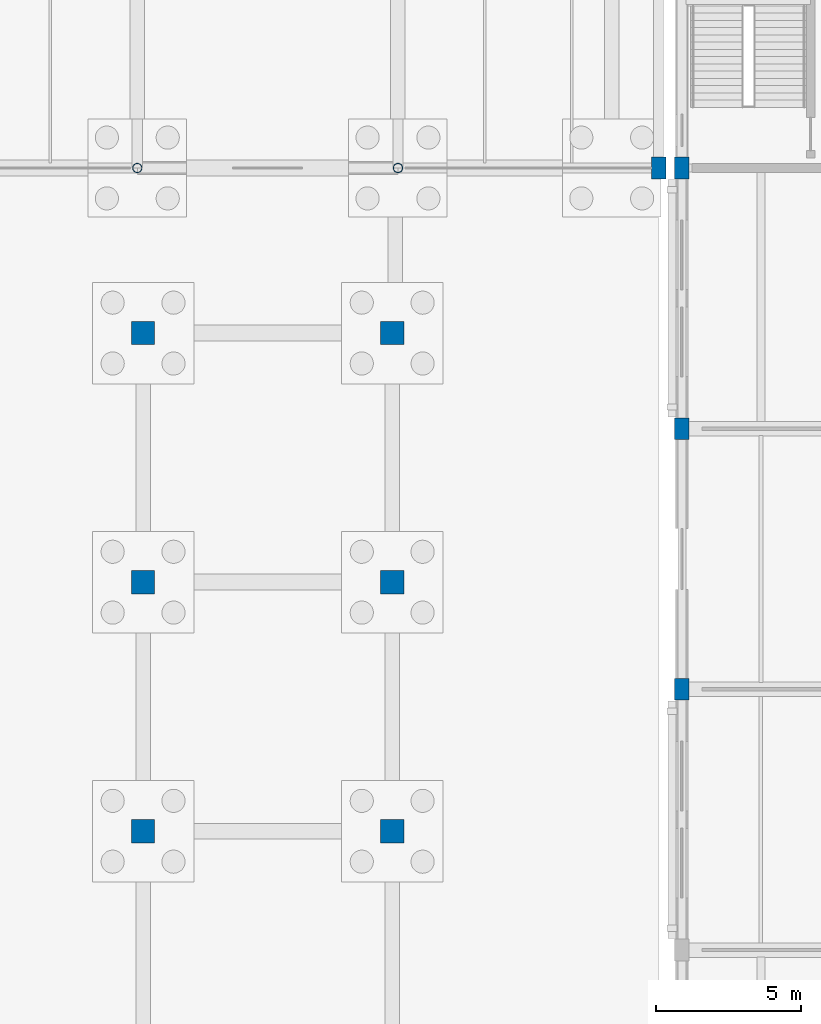
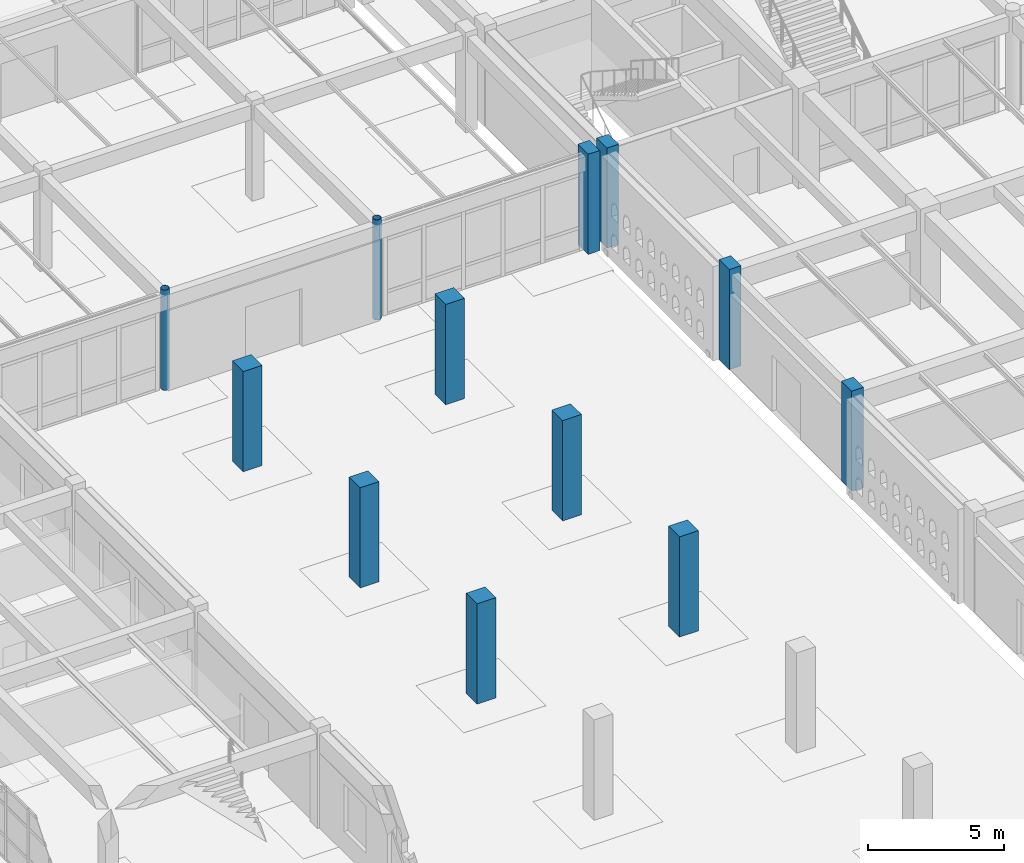
# One storey, part 12 of 186: 12 columns.
"""IFC4 building model written with IfcOpenShell, lengths in metres."""

from ifc_helpers import new_model, si_unit, direction, frame, origin, origin_2d, place, context, subcontext, project, spatial, rectangle, hollow_circle, extrude, material, material_profile, profile_set, type_object, element, save


model = new_model("IFC4")

# Units and contexts
model_context = context("Model", 3, precision=1e-05, world=origin(), true_north=direction((0.0, 1.0)))
body_context = subcontext(model_context, "Body", "Model", "MODEL_VIEW")
ifc_project = project(units=[si_unit("LENGTHUNIT", "METRE"), si_unit("AREAUNIT", "SQUARE_METRE"), si_unit("VOLUMEUNIT", "CUBIC_METRE"), si_unit("PLANEANGLEUNIT", "RADIAN"), si_unit("MASSUNIT", "GRAM", prefix="KILO")], contexts=[model_context])

# Site, building, storey
site_placement = place(None, origin())
site = spatial("IfcSite", under=ifc_project, at=site_placement, CompositionType="ELEMENT")
building_placement = place(site_placement, origin())
building = spatial("IfcBuilding", under=site, at=building_placement, Name="Ornek Quay Market", CompositionType="ELEMENT")
storey_placement = place(building_placement, origin())
storey = spatial("IfcBuildingStorey", under=building, at=storey_placement, Name="L00", CompositionType="ELEMENT", Elevation=0.0)

# Columns
ifc_material_1 = material(Name="Concrete C40/50", Category="concrete")
ifc_material_profile_1 = material_profile(ifc_material_1, rectangle(XDim=0.5, YDim=0.75, at=origin_2d()), Name="RC 500x750", Category="concrete")
ifc_profile_set_1 = profile_set([ifc_material_profile_1], Name="Concrete C40/50")
column_type_1 = type_object("IfcColumnType", Name="COL-MJ-500x750", PredefinedType="COLUMN", material=ifc_profile_set_1)
for number, where, z_axis, x_axis, name in (
    (1, (54.0, 92.0, 0.0), (0.0, 0.0, 1.0), (1.0, 0.0, 0.0), "Column C-MJ1-003"),
    (2, (54.800048828125, 74.0, 0.0), (0.0, 0.0, 1.0), (1.0, 0.0, 0.0), "Column C-MJ1-021"),
    (3, (54.800048828125, 83.0, 0.0), (0.0, 0.0, 1.0), (1.0, 0.0, 0.0), "Column C-MJ1-023"),
    (4, (54.800048828125, 92.0, 0.0), (0.0, 0.0, 1.0), (1.0, 0.0, 0.0), "Column C-MJ1-025"),
):
    element("IfcColumn", number, at=place(storey_placement, frame(where, z_axis=z_axis, x_axis=x_axis)), inside=storey, type_object=column_type_1, Name=name, PredefinedType="COLUMN", context=body_context, shape_type="SweptSolid", body=[
        extrude(rectangle(XDim=0.5, YDim=0.75, at=origin_2d()), origin(), (0.0, 0.0, 1.0), 4.5),
    ])
ifc_material_2 = material(Name="Steel S355", Category="steel")
ifc_material_profile_2 = material_profile(ifc_material_2, hollow_circle(Radius=0.161865234375, WallThickness=0.012451171875, at=origin_2d()), Name="CHS 323.9x12.5", Category="steel")
ifc_profile_set_2 = profile_set([ifc_material_profile_2], Name="Steel S355")
column_type_2 = type_object("IfcColumnType", Name="COL-PORCH-CHS323", PredefinedType="PILASTER", material=ifc_profile_set_2)
for number, where, z_axis, x_axis, name in (
    (5, (36.0, 92.0, 0.0), (0.0, 0.0, 1.0), (1.0, 0.0, 0.0), "Column C-ST1-001"),
    (6, (45.0, 92.0, 0.0), (0.0, 0.0, 1.0), (1.0, 0.0, 0.0), "Column C-ST1-003"),
):
    element("IfcColumn", number, at=place(storey_placement, frame(where, z_axis=z_axis, x_axis=x_axis)), inside=storey, type_object=column_type_2, Name=name, PredefinedType="PILASTER", context=body_context, shape_type="SweptSolid", body=[
        extrude(hollow_circle(Radius=0.161865234375, WallThickness=0.012451171875, at=origin_2d()), origin(), (0.0, 0.0, 1.0), 4.5),
    ])
ifc_material_profile_3 = material_profile(ifc_material_1, rectangle(XDim=0.800048828125, YDim=0.800048828125, at=origin_2d()), Name="RC 800x800", Category="concrete")
ifc_profile_set_3 = profile_set([ifc_material_profile_3], Name="Concrete C40/50")
column_type_3 = type_object("IfcColumnType", Name="COL-UMB-800x800", PredefinedType="COLUMN", material=ifc_profile_set_3)
for number, where, z_axis, x_axis, name in (
    (7, (36.199951171875, 69.10009765625, 0.0), (0.0, 0.0, 1.0), (1.0, 0.0, 0.0), "Umbrella column UMB-W05 (L00)"),
    (8, (36.199951171875, 77.699951171875, 0.0), (0.0, 0.0, 1.0), (1.0, 0.0, 0.0), "Umbrella column UMB-W06 (L00)"),
    (9, (36.199951171875, 86.300048828125, 0.0), (0.0, 0.0, 1.0), (1.0, 0.0, 0.0), "Umbrella column UMB-W07 (L00)"),
    (10, (44.800048828125, 69.10009765625, 0.0), (0.0, 0.0, 1.0), (1.0, 0.0, 0.0), "Umbrella column UMB-W12 (L00)"),
    (11, (44.800048828125, 77.699951171875, 0.0), (0.0, 0.0, 1.0), (1.0, 0.0, 0.0), "Umbrella column UMB-W13 (L00)"),
    (12, (44.800048828125, 86.300048828125, 0.0), (0.0, 0.0, 1.0), (1.0, 0.0, 0.0), "Umbrella column UMB-W14 (L00)"),
):
    element("IfcColumn", number, at=place(storey_placement, frame(where, z_axis=z_axis, x_axis=x_axis)), inside=storey, type_object=column_type_3, Name=name, PredefinedType="COLUMN", context=body_context, shape_type="SweptSolid", body=[
        extrude(rectangle(XDim=0.800048828125, YDim=0.800048828125, at=origin_2d()), origin(), (0.0, 0.0, 1.0), 4.5),
    ])

save(model, "model.ifc")
